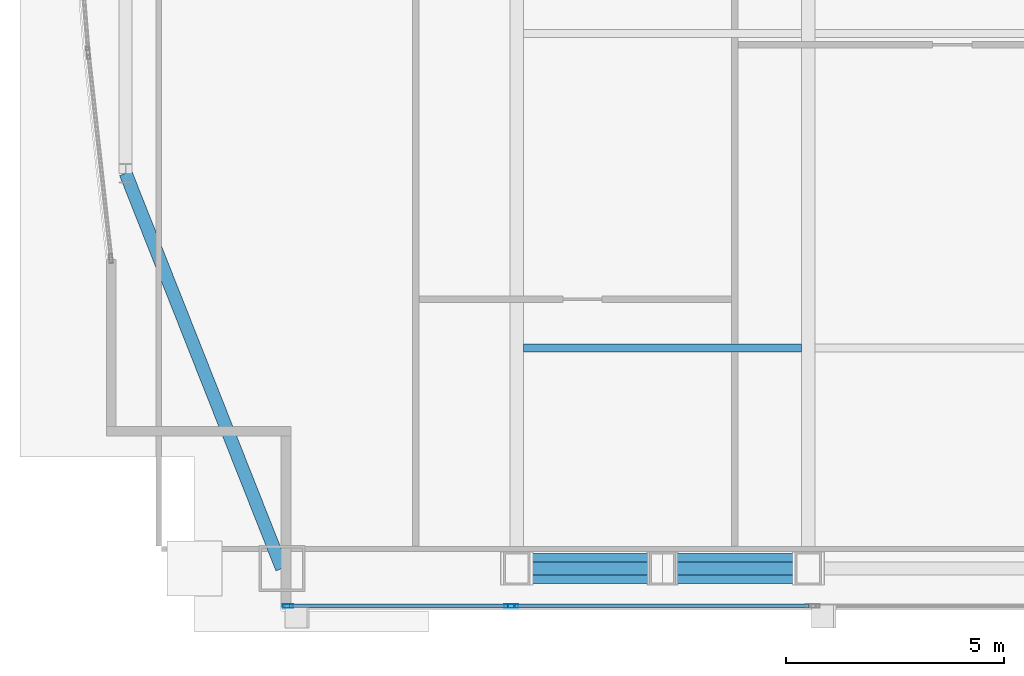
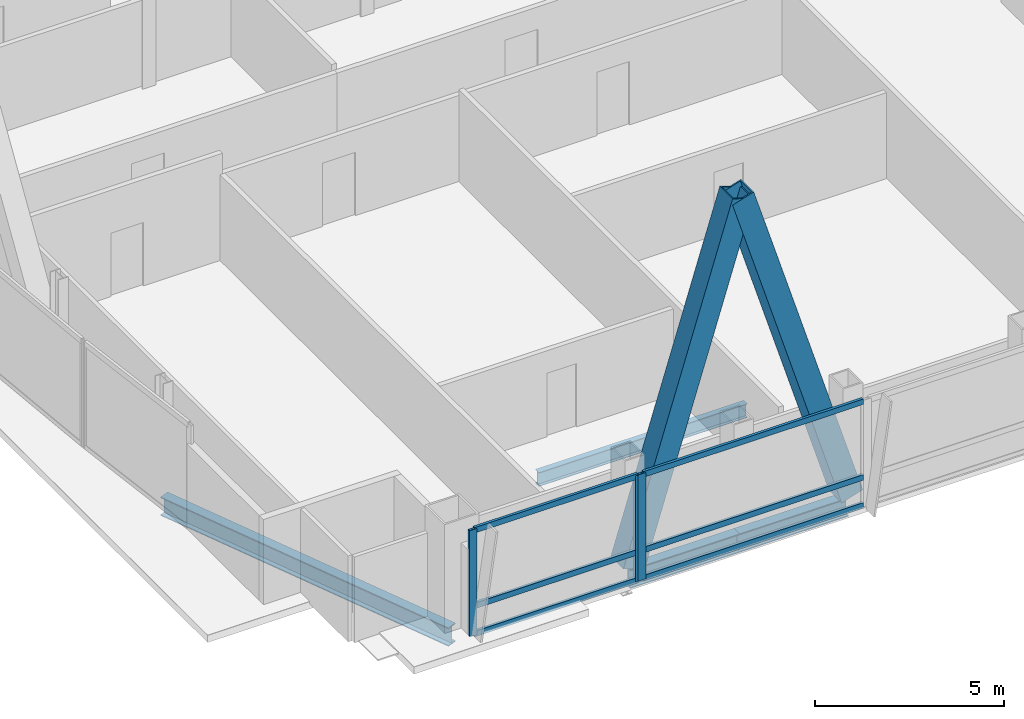
# One storey, part 5 of 30: 11 members, 4 beams, 2 elements without a shape of their own.
"""IFC4 building model written with IfcOpenShell, lengths in metres."""

import ifcopenshell
import ifcopenshell.guid

model = None  # the IFC model being written
_history = None  # IfcOwnerHistory: only IFC2X3 demands one
_inside = {}  # id of a spatial element -> (the spatial element, [elements in it])
_under = {}  # id of a project, library or spatial element -> (it, [spatial elements below it])
_declared = {}  # id of a project -> (the project, [libraries it declares])
_typed = {}  # id of a type object -> (the type object, [elements of that type])
_made_of = {}  # id of a material, layer set ... -> (it, [elements and type objects made of it])


def new_model(schema):
    """Start an empty IFC model of exactly this schema.

    Asked for "IFC4X3", IfcOpenShell would pick the latest addendum, in which some entities
    have other attributes; the version numbers below select the first issue.
    IFC2X3 requires an IfcOwnerHistory on every rooted entity: one is made here for all.
    """
    global model, _history
    if schema == "IFC4X3":
        model = ifcopenshell.file(schema_version=(4, 3, 0, 0))
    else:
        model = ifcopenshell.file(schema=schema)
    _inside.clear()
    _under.clear()
    _declared.clear()
    _typed.clear()
    _made_of.clear()
    _history = None
    if model.schema == "IFC2X3":
        org = make("IfcOrganization", Name="unknown")
        user = make(
            "IfcPersonAndOrganization",
            ThePerson=make("IfcPerson", FamilyName="unknown"),
            TheOrganization=org,
        )
        app = make(
            "IfcApplication",
            ApplicationDeveloper=org,
            Version="unknown",
            ApplicationFullName="unknown",
            ApplicationIdentifier="unknown",
        )
        _history = make(
            "IfcOwnerHistory",
            OwningUser=user,
            OwningApplication=app,
            ChangeAction="ADDED",
            CreationDate=0,
        )
    return model


def make(cls, **values):
    """One entity of the class cls with the attributes given. An attribute that is None is left unset."""
    return model.create_entity(
        cls, **{name: value for name, value in values.items() if value is not None}
    )


def rooted(cls, **values):
    """An entity with a GlobalId (a new one), such as an element, a storey or a relation."""
    return make(cls, GlobalId=ifcopenshell.guid.new(), OwnerHistory=_history, **values)


def si_unit(unit_type, name, prefix=None):
    """IfcSIUnit, for example si_unit("LENGTHUNIT", "METRE", prefix="MILLI")."""
    return make("IfcSIUnit", UnitType=unit_type, Prefix=prefix, Name=name)


def assignment(units):
    """IfcUnitAssignment: the units of a project."""
    return None if units is None else make("IfcUnitAssignment", Units=units)


def point(xyz):
    """IfcCartesianPoint."""
    return None if xyz is None else make("IfcCartesianPoint", Coordinates=xyz)


def direction(xyz):
    """IfcDirection."""
    return None if xyz is None else make("IfcDirection", DirectionRatios=xyz)


def frame(location, z_axis=None, x_axis=None):
    """IfcAxis2Placement3D, a coordinate frame: its origin and axes. An axis left out is left unset."""
    return make(
        "IfcAxis2Placement3D",
        Location=point(location),
        Axis=direction(z_axis),
        RefDirection=direction(x_axis),
    )


def frame_2d(location, x_axis=None):
    """IfcAxis2Placement2D, a coordinate frame in the plane: its origin and x axis."""
    return make(
        "IfcAxis2Placement2D", Location=point(location), RefDirection=direction(x_axis)
    )


def origin():
    """The frame at (0, 0, 0) with its axes left unset."""
    return frame((0.0, 0.0, 0.0))


def origin_2d():
    """The frame at (0, 0) in the plane with its x axis left unset."""
    return frame_2d((0.0, 0.0))


def place(relative_to, where):
    """IfcLocalPlacement: puts the frame where relative to a parent placement (None: the world)."""
    return make(
        "IfcLocalPlacement", PlacementRelTo=relative_to, RelativePlacement=where
    )


def context(
    kind, dimensions, precision=None, world=None, true_north=None, identifier=None
):
    """IfcGeometricRepresentationContext, for example the 3D "Model" context."""
    return make(
        "IfcGeometricRepresentationContext",
        ContextIdentifier=identifier,
        ContextType=kind,
        CoordinateSpaceDimension=dimensions,
        Precision=precision,
        WorldCoordinateSystem=world,
        TrueNorth=true_north,
    )


def subcontext(parent, identifier, kind, view, scale=None):
    """IfcGeometricRepresentationSubContext, for example "Body" below "Model"."""
    return make(
        "IfcGeometricRepresentationSubContext",
        ContextIdentifier=identifier,
        ContextType=kind,
        ParentContext=parent,
        TargetScale=scale,
        TargetView=view,
    )


def project(units=None, contexts=None):
    """IfcProject with its units and contexts."""
    return rooted(
        "IfcProject",
        Name="project",
        RepresentationContexts=contexts,
        UnitsInContext=assignment(units),
    )


def spatial(cls, under=None, at=None, **own):
    """A site, building, storey or space (cls), placed at a placement, below another one or the project."""
    s = rooted(cls, ObjectPlacement=at, **own)
    if under is not None:
        _under.setdefault(under.id(), (under, []))[1].append(s)
    return s


def profile(cls, at=None, kind="AREA", **sizes):
    """A parametric profile (cls). Its sizes go by their IFC names, for example OverallWidth=200.0."""
    return make(cls, ProfileType=kind, Position=at, **sizes)


def hollow_rectangle(**sizes):
    """IfcRectangleHollowProfileDef."""
    return profile("IfcRectangleHollowProfileDef", **sizes)


def i_section(**sizes):
    """IfcIShapeProfileDef."""
    return profile("IfcIShapeProfileDef", **sizes)


def extrude(swept, where, along, depth):
    """IfcExtrudedAreaSolid: the profile swept, set in the frame where, extruded along a direction by depth."""
    return make(
        "IfcExtrudedAreaSolid",
        SweptArea=swept,
        Position=where,
        ExtrudedDirection=direction(along),
        Depth=depth,
    )


def shape(context_of_items, identifier, shape_type, items):
    """IfcShapeRepresentation: the items that make up one representation, for example the "Body"."""
    return make(
        "IfcShapeRepresentation",
        ContextOfItems=context_of_items,
        RepresentationIdentifier=identifier,
        RepresentationType=shape_type,
        Items=items,
    )


def material(Name=None, Category=None):
    """IfcMaterial."""
    return make("IfcMaterial", Name=Name, Category=Category)


def material_profile(
    of_material, cross_section, Name=None, Category=None, Priority=None
):
    """IfcMaterialProfile: a cross section and its material."""
    return make(
        "IfcMaterialProfile",
        Name=Name,
        Material=of_material,
        Profile=cross_section,
        Priority=Priority,
        Category=Category,
    )


def profile_set(profiles, Name=None, composite=None):
    """IfcMaterialProfileSet."""
    return make(
        "IfcMaterialProfileSet",
        Name=Name,
        MaterialProfiles=profiles,
        CompositeProfile=composite,
    )


def made_of(thing, what):
    """Note that an element or type object is made of a material, layer set ...; save() writes the relation."""
    if what is not None:
        _made_of.setdefault(what.id(), (what, []))[1].append(thing)
    return thing


def type_object(cls, material=None, **own):
    """A type object (cls), such as IfcWallType, which elements share."""
    return made_of(rooted(cls, **own), material)


def element(
    cls,
    number,
    at=None,
    inside=None,
    cuts=None,
    type_object=None,
    material=None,
    context=None,
    identifier="Body",
    shape_type=None,
    held_by="IfcProductDefinitionShape",
    body=None,
    shapes=None,
    **own,
):
    """One element of the class cls, such as IfcWall. Its Tag is "e" and its number.

    at: its placement. inside: the storey or other place that contains it. cuts: it is an
    opening in that element (IfcRelVoidsElement). A single representation is given by context,
    identifier, shape_type and body (its items); several are given by shapes. held_by: the class
    of the entity that holds the representations. save() writes the other relations.
    """
    e = rooted(cls, Tag="e%d" % number, ObjectPlacement=at, **own)
    if body is not None:
        shapes = [shape(context, identifier, shape_type, body)]
    if shapes is not None:
        e.Representation = make(held_by, Representations=shapes)
    if inside is not None:
        _inside.setdefault(inside.id(), (inside, []))[1].append(e)
    if cuts is not None:
        rooted(
            "IfcRelVoidsElement", RelatingBuildingElement=cuts, RelatedOpeningElement=e
        )
    if type_object is not None:
        _typed.setdefault(type_object.id(), (type_object, []))[1].append(e)
    return made_of(e, material)


def aggregate(whole, parts):
    """IfcRelAggregates: a whole, such as a stair, and the parts it consists of."""
    return rooted("IfcRelAggregates", RelatingObject=whole, RelatedObjects=parts)


def save(model, path):
    """Write the relations noted so far, then the file.

    IfcRelAggregates (storeys below a building ...), IfcRelContainedInSpatialStructure (elements
    in a storey), IfcRelDefinesByType, IfcRelAssociatesMaterial and IfcRelDeclares: one each for
    every whole, place, type object, material and project.
    """
    for whole, parts in _under.values():
        aggregate(whole, parts)
    for where, things in _inside.values():
        rooted(
            "IfcRelContainedInSpatialStructure",
            RelatedElements=things,
            RelatingStructure=where,
        )
    for kind, things in _typed.values():
        rooted("IfcRelDefinesByType", RelatedObjects=things, RelatingType=kind)
    for what, things in _made_of.values():
        rooted("IfcRelAssociatesMaterial", RelatedObjects=things, RelatingMaterial=what)
    for by, libraries in _declared.values():
        rooted("IfcRelDeclares", RelatingContext=by, RelatedDefinitions=libraries)
    model.write(path)


model = new_model("IFC4")

# Units and contexts
model_context = context("Model", 3, precision=1e-05, world=origin(), true_north=direction((0.0, 1.0)))
body_context = subcontext(model_context, "Body", "Model", "MODEL_VIEW")
ifc_project = project(units=[si_unit("LENGTHUNIT", "METRE"), si_unit("AREAUNIT", "SQUARE_METRE"), si_unit("VOLUMEUNIT", "CUBIC_METRE"), si_unit("PLANEANGLEUNIT", "RADIAN"), si_unit("MASSUNIT", "GRAM", prefix="KILO")], contexts=[model_context])

# Site, building, storey
site_placement = place(None, origin())
site = spatial("IfcSite", under=ifc_project, at=site_placement, CompositionType="ELEMENT")
building_placement = place(site_placement, origin())
building = spatial("IfcBuilding", under=site, at=building_placement, Name="Khoronbel Lancet Exchange", CompositionType="ELEMENT")
storey_placement = place(building_placement, frame((0.0, 0.0, 239.0)))
storey = spatial("IfcBuildingStorey", under=building, at=storey_placement, Name="L61", CompositionType="ELEMENT", Elevation=239.0)

# Beams
ifc_material_1 = material(Name="Steel S355", Category="steel")
ifc_material_profile_1 = material_profile(ifc_material_1, i_section(OverallWidth=0.18994140625, OverallDepth=0.449951171875, WebThickness=0.009521484375, FlangeThickness=0.0146484375, at=origin_2d()), Name="IPE 450")
ifc_profile_set_1 = profile_set([ifc_material_profile_1], Name="Steel S355")
beam_type_1 = type_object("IfcBeamType", Name="BM-BJ4", PredefinedType="JOIST", material=ifc_profile_set_1)
beam_1_placement = place(storey_placement, frame((18.375, 15.199951171875, -0.385009765625), z_axis=(1.0, 0.0, 0.0), x_axis=(0.0, 1.0, 0.0)))
element("IfcBeam", 1, at=beam_1_placement, inside=storey, type_object=beam_type_1, Name="Level L61 secondary composite joist J01", PredefinedType="JOIST", context=body_context, shape_type="SweptSolid", body=[
    extrude(i_section(OverallWidth=0.18994140625, OverallDepth=0.449951171875, WebThickness=0.009521484375, FlangeThickness=0.0146484375, at=origin_2d()), origin(), (0.0, 0.0, 1.0), 6.375),
])
ifc_material_profile_2 = material_profile(ifc_material_1, i_section(OverallWidth=0.300048828125, OverallDepth=0.60009765625, WebThickness=0.015380859375, FlangeThickness=0.030029296875, at=origin_2d()), Name="HEB 600")
ifc_profile_set_2 = profile_set([ifc_material_profile_2], Name="Steel S355")
beam_type_2 = type_object("IfcBeamType", Name="BM-BSP2", PredefinedType="SPANDREL", material=ifc_profile_set_2)
for number, where, z_axis, x_axis, name in (
    (2, (18.22509765625, 10.14990234375, -0.4599609375), (1.0, 0.0, 0.0), (0.0, 1.0, 0.0), "Level L61 perimeter spandrel beam SP01"),
    (3, (21.5625, 10.14990234375, -0.4599609375), (1.0, 0.0, 0.0), (0.0, 1.0, 0.0), "Level L61 perimeter spandrel beam SP02"),
):
    element("IfcBeam", number, at=place(storey_placement, frame(where, z_axis=z_axis, x_axis=x_axis)), inside=storey, type_object=beam_type_2, Name=name, PredefinedType="SPANDREL", context=body_context, shape_type="SweptSolid", body=[
        extrude(i_section(OverallWidth=0.300048828125, OverallDepth=0.60009765625, WebThickness=0.015380859375, FlangeThickness=0.030029296875, at=origin_2d()), origin(), (0.0, 0.0, 1.0), 3.33740234375),
    ])
beam_2_placement = place(storey_placement, frame((9.27001953125, 19.199951171875, -0.4599609375), z_axis=(0.367850095026, -0.92988510451, 0.0), x_axis=(0.92988510451, 0.367850095026, 0.0)))
element("IfcBeam", 4, at=beam_2_placement, inside=storey, type_object=beam_type_2, Name="Level L61 perimeter spandrel beam SP19", PredefinedType="SPANDREL", context=body_context, shape_type="SweptSolid", body=[
    extrude(i_section(OverallWidth=0.300048828125, OverallDepth=0.60009765625, WebThickness=0.015380859375, FlangeThickness=0.030029296875, at=origin_2d()), origin(), (0.0, 0.0, 1.0), 9.732421875),
])

# Curtain wall, members
ifc_material_2 = material(Name="Low-E Solar Control Insulating Glass", Category="glass")
curtain_wall_type = type_object("IfcCurtainWallType", Name="CW-3", PredefinedType="NOTDEFINED", material=ifc_material_2)
curtain_wall_1_placement = place(storey_placement, origin())
curtain_wall_1 = element("IfcCurtainWall", 5, at=curtain_wall_1_placement, inside=storey, type_object=curtain_wall_type, Name="Unitised curtain wall CW-L61-SWV", PredefinedType="NOTDEFINED")
ifc_material_3 = material(Name="Bronze-Anodised Aluminium 6063-T6", Category="aluminium")
ifc_material_profile_3 = material_profile(ifc_material_3, hollow_rectangle(XDim=0.0849609375, YDim=0.239990234375, WallThickness=0.006103515625, at=origin_2d()), Name="ALU MULLION 85x240")
ifc_profile_set_3 = profile_set([ifc_material_profile_3], Name="Bronze-Anodised Aluminium 6063-T6")
member_type_1 = type_object("IfcMemberType", Name="MEM-CWM1", PredefinedType="MULLION", material=ifc_profile_set_3)
member_1_placement = place(storey_placement, frame((12.982421875, 9.2900390625, 0.0), z_axis=(0.0, 0.0, 1.0), x_axis=(0.0, 1.0, 0.0)))
member_1 = element("IfcMember", 6, at=member_1_placement, type_object=member_type_1, Name="CW3 mullion 1", PredefinedType="MULLION", context=body_context, shape_type="SweptSolid", body=[
    extrude(hollow_rectangle(XDim=0.0849609375, YDim=0.239990234375, WallThickness=0.006103515625, at=origin_2d()), origin(), (0.0, 0.0, 1.0), 3.43994140625),
])
member_2_placement = place(storey_placement, frame((18.0576171875, 9.2900390625, 0.0), z_axis=(0.0, 0.0, 1.0), x_axis=(0.0, 1.0, 0.0)))
member_2 = element("IfcMember", 7, at=member_2_placement, type_object=member_type_1, Name="CW3 mullion 2", PredefinedType="MULLION", context=body_context, shape_type="SweptSolid", body=[
    extrude(hollow_rectangle(XDim=0.0849609375, YDim=0.239990234375, WallThickness=0.006103515625, at=origin_2d()), origin(), (0.0, 0.0, 1.0), 3.43994140625),
])

# Curtain wall, member
curtain_wall_2_placement = place(storey_placement, origin())
curtain_wall_2 = element("IfcCurtainWall", 8, at=curtain_wall_2_placement, inside=storey, type_object=curtain_wall_type, Name="Unitised curtain wall CW-L61-SWB", PredefinedType="NOTDEFINED")
member_3_placement = place(storey_placement, frame((18.142578125, 9.2900390625, 0.0), z_axis=(0.0, 0.0, 1.0), x_axis=(0.0, 1.0, 0.0)))
member_3 = element("IfcMember", 9, at=member_3_placement, type_object=member_type_1, Name="CW3 mullion 1", PredefinedType="MULLION", context=body_context, shape_type="SweptSolid", body=[
    extrude(hollow_rectangle(XDim=0.0849609375, YDim=0.239990234375, WallThickness=0.006103515625, at=origin_2d()), origin(), (0.0, 0.0, 1.0), 3.43994140625),
])

# Member
ifc_material_profile_4 = material_profile(ifc_material_3, hollow_rectangle(XDim=0.0849609375, YDim=0.179931640625, WallThickness=0.0048828125, at=origin_2d()), Name="ALU TRANSOM 85x180")
ifc_profile_set_4 = profile_set([ifc_material_profile_4], Name="Bronze-Anodised Aluminium 6063-T6")
member_type_2 = type_object("IfcMemberType", Name="MEM-CWT1", PredefinedType="USERDEFINED", material=ifc_profile_set_4)
member_4_placement = place(storey_placement, frame((13.02490234375, 9.2900390625, 0.04248046875), z_axis=(1.0, 0.0, 0.0), x_axis=(0.0, 1.0, 0.0)))
member_4 = element("IfcMember", 10, at=member_4_placement, type_object=member_type_2, Name="CW3 transom 1.1", ObjectType="TRANSOM", PredefinedType="USERDEFINED", context=body_context, shape_type="SweptSolid", body=[
    extrude(hollow_rectangle(XDim=0.0849609375, YDim=0.179931640625, WallThickness=0.0048828125, at=origin_2d()), origin(), (0.0, 0.0, 1.0), 4.989990234375),
])

member_5_placement = place(storey_placement, frame((13.02490234375, 9.2900390625, 0.949951171875), z_axis=(1.0, 0.0, 0.0), x_axis=(0.0, 1.0, 0.0)))
member_5 = element("IfcMember", 11, at=member_5_placement, type_object=member_type_2, Name="CW3 transom 1.2", ObjectType="TRANSOM", PredefinedType="USERDEFINED", context=body_context, shape_type="SweptSolid", body=[
    extrude(hollow_rectangle(XDim=0.0849609375, YDim=0.179931640625, WallThickness=0.0048828125, at=origin_2d()), origin(), (0.0, 0.0, 1.0), 4.989990234375),
])

member_6_placement = place(storey_placement, frame((13.02490234375, 9.2900390625, 3.3974609375), z_axis=(1.0, 0.0, 0.0), x_axis=(0.0, 1.0, 0.0)))
member_6 = element("IfcMember", 12, at=member_6_placement, type_object=member_type_2, Name="CW3 transom 1.3", ObjectType="TRANSOM", PredefinedType="USERDEFINED", context=body_context, shape_type="SweptSolid", body=[
    extrude(hollow_rectangle(XDim=0.0849609375, YDim=0.179931640625, WallThickness=0.0048828125, at=origin_2d()), origin(), (0.0, 0.0, 1.0), 4.989990234375),
])

aggregate(curtain_wall_1, [member_1, member_2, member_4, member_5, member_6])

member_7_placement = place(storey_placement, frame((18.18505859375, 9.2900390625, 0.04248046875), z_axis=(1.0, 0.0, 0.0), x_axis=(0.0, 1.0, 0.0)))
member_7 = element("IfcMember", 13, at=member_7_placement, type_object=member_type_2, Name="CW3 transom 1.1", ObjectType="TRANSOM", PredefinedType="USERDEFINED", context=body_context, shape_type="SweptSolid", body=[
    extrude(hollow_rectangle(XDim=0.0849609375, YDim=0.179931640625, WallThickness=0.0048828125, at=origin_2d()), origin(), (0.0, 0.0, 1.0), 6.72998046875),
])

member_8_placement = place(storey_placement, frame((18.18505859375, 9.2900390625, 0.949951171875), z_axis=(1.0, 0.0, 0.0), x_axis=(0.0, 1.0, 0.0)))
member_8 = element("IfcMember", 14, at=member_8_placement, type_object=member_type_2, Name="CW3 transom 1.2", ObjectType="TRANSOM", PredefinedType="USERDEFINED", context=body_context, shape_type="SweptSolid", body=[
    extrude(hollow_rectangle(XDim=0.0849609375, YDim=0.179931640625, WallThickness=0.0048828125, at=origin_2d()), origin(), (0.0, 0.0, 1.0), 6.72998046875),
])

member_9_placement = place(storey_placement, frame((18.18505859375, 9.2900390625, 3.3974609375), z_axis=(1.0, 0.0, 0.0), x_axis=(0.0, 1.0, 0.0)))
member_9 = element("IfcMember", 15, at=member_9_placement, type_object=member_type_2, Name="CW3 transom 1.3", ObjectType="TRANSOM", PredefinedType="USERDEFINED", context=body_context, shape_type="SweptSolid", body=[
    extrude(hollow_rectangle(XDim=0.0849609375, YDim=0.179931640625, WallThickness=0.0048828125, at=origin_2d()), origin(), (0.0, 0.0, 1.0), 6.72998046875),
])

aggregate(curtain_wall_2, [member_3, member_7, member_8, member_9])

# Members
ifc_material_4 = material(Name="Steel S460", Category="steel")
ifc_material_profile_5 = material_profile(ifc_material_4, hollow_rectangle(XDim=0.679931640625, YDim=0.679931640625, WallThickness=0.044921875, at=origin_2d()), Name="BOX 680x680x45")
ifc_profile_set_5 = profile_set([ifc_material_profile_5], Name="Steel S460")
member_type_3 = type_object("IfcMemberType", Name="MEM-MB3", PredefinedType="BRACE", material=ifc_profile_set_5)
for number, where, z_axis, x_axis, name in (
    (16, (18.22509765625, 10.14990234375, 0.0), (0.295242108906, 0.0, 0.955422470496), (0.0, 1.0, 0.0), "Perimeter lancet brace tier 21 S-W-L"),
    (17, (24.89990234375, 10.14990234375, 0.0), (-0.295242108906, 0.0, 0.955422470496), (0.0, -1.0, 0.0), "Perimeter lancet brace tier 21 S-W-R"),
):
    element("IfcMember", number, at=place(storey_placement, frame(where, z_axis=z_axis, x_axis=x_axis)), inside=storey, type_object=member_type_3, Name=name, PredefinedType="BRACE", context=body_context, shape_type="SweptSolid", body=[
        extrude(hollow_rectangle(XDim=0.679931640625, YDim=0.679931640625, WallThickness=0.044921875, at=origin_2d()), origin(), (0.0, 0.0, 1.0), 11.303955078125),
    ])

save(model, "model.ifc")
